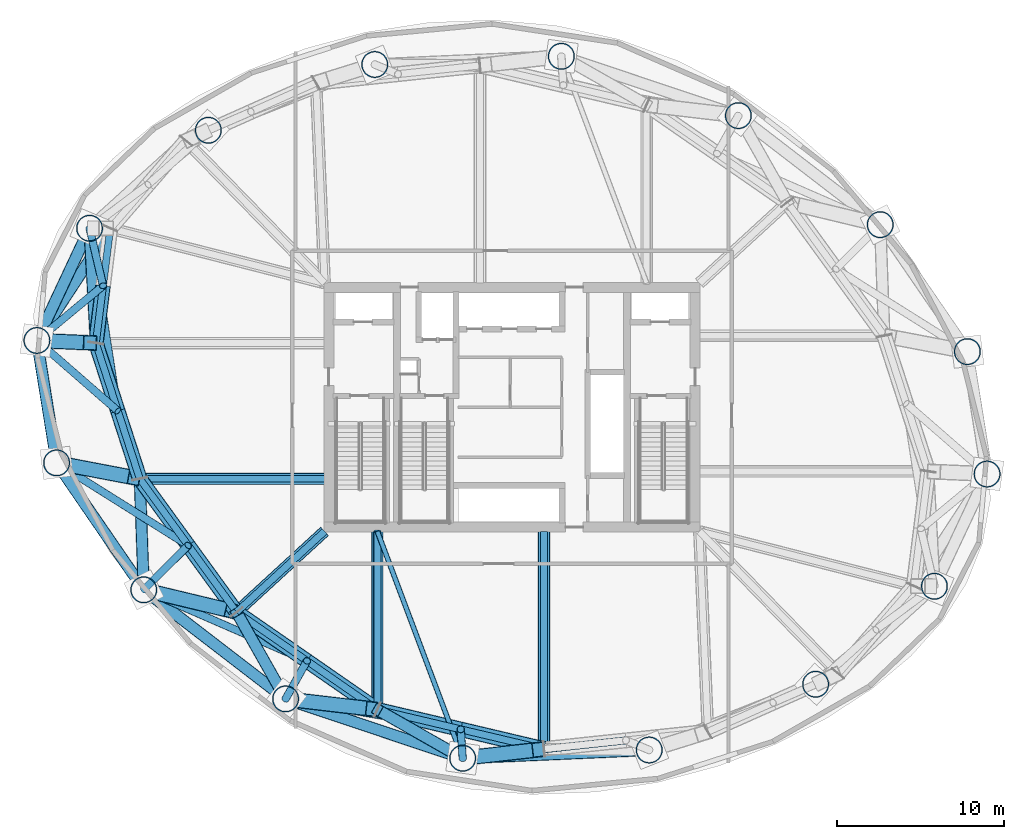
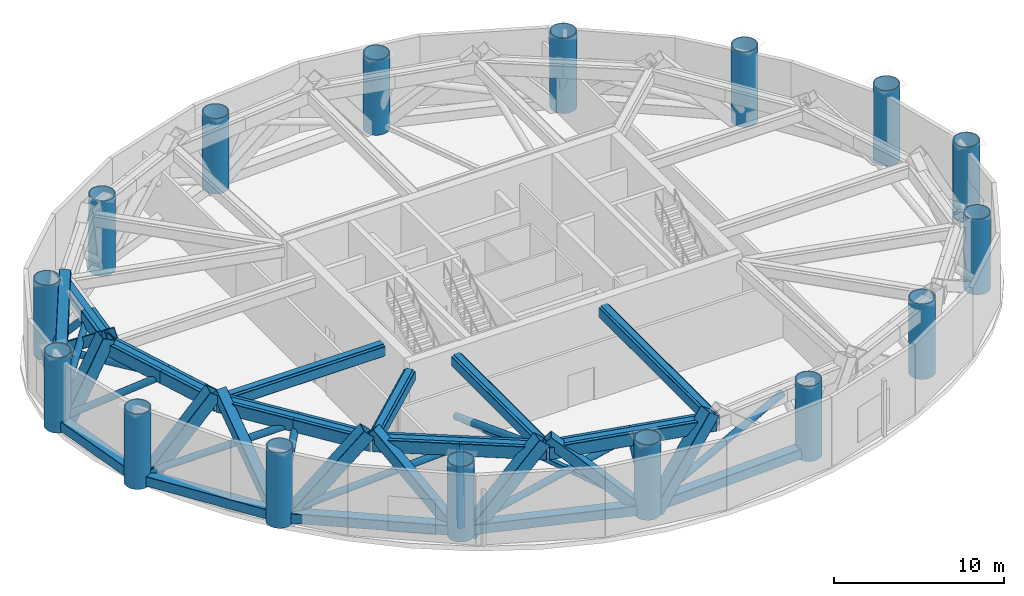
# One storey, part 1 of 13: 42 members, 16 columns, 9 beams.
"""IFC4 building model written with IfcOpenShell, lengths in metres."""

from ifc_helpers import new_model, si_unit, direction, frame, origin, origin_2d, place, context, subcontext, project, spatial, hollow_rectangle, hollow_circle, i_section, extrude, material, material_profile, profile_set, type_object, element, save


model = new_model("IFC4")

# Units and contexts
model_context = context("Model", 3, precision=1e-05, world=origin(), true_north=direction((0.0, 1.0)))
body_context = subcontext(model_context, "Body", "Model", "MODEL_VIEW")
ifc_project = project(units=[si_unit("LENGTHUNIT", "METRE"), si_unit("AREAUNIT", "SQUARE_METRE"), si_unit("VOLUMEUNIT", "CUBIC_METRE"), si_unit("PLANEANGLEUNIT", "RADIAN"), si_unit("MASSUNIT", "GRAM", prefix="KILO")], contexts=[model_context])

# Site, building, storey
site_placement = place(None, origin())
site = spatial("IfcSite", under=ifc_project, at=site_placement, CompositionType="ELEMENT")
building_placement = place(site_placement, origin())
building = spatial("IfcBuilding", under=site, at=building_placement, Name="Bramvorn Convention Spire", CompositionType="ELEMENT")
storey_placement = place(building_placement, frame((0.0, 0.0, 97.39990234375)))
storey = spatial("IfcBuildingStorey", under=building, at=storey_placement, Name="L23", CompositionType="ELEMENT", Elevation=97.39990234375)

# Columns
ifc_material = material(Name="Steel CSA G40.21 Grade 350 (350W)", Category="steel")
ifc_material_profile_1 = material_profile(ifc_material, hollow_circle(Radius=0.800048828125, WallThickness=0.06005859375, at=origin_2d()))
ifc_profile_set_1 = profile_set([ifc_material_profile_1], Name="Steel CSA G40.21 Grade 350 (350W) - CFT1600X60")
column_type = type_object("IfcColumnType", Name="COL-CFT1600X60", PredefinedType="COLUMN", material=ifc_profile_set_1)
for number, where, z_axis, x_axis, name in (
    (1, (66.519775390625, 21.99169921875, 0.0), (0.0, 0.0, 1.0), (1.0, 0.0, 0.0), "L23 composite CFT mega-column MC01"),
    (2, (65.338623046875, 29.340087890625, 0.0), (0.0, 0.0, 1.0), (1.0, 0.0, 0.0), "L23 composite CFT mega-column MC02"),
    (3, (60.105224609375, 36.960205078125, 0.0), (0.0, 0.0, 1.0), (1.0, 0.0, 0.0), "L23 composite CFT mega-column MC03"),
    (4, (51.59033203125, 43.509033203125, 0.0), (0.0, 0.0, 1.0), (1.0, 0.0, 0.0), "L23 composite CFT mega-column MC04"),
    (5, (40.9609375, 47.06884765625, 0.0), (0.0, 0.0, 1.0), (1.0, 0.0, 0.0), "L23 composite CFT mega-column MC05"),
    (6, (29.76220703125, 46.57666015625, 0.0), (0.0, 0.0, 1.0), (1.0, 0.0, 0.0), "L23 composite CFT mega-column MC06"),
    (7, (19.772216796875, 42.628662109375, 0.0), (0.0, 0.0, 1.0), (1.0, 0.0, 0.0), "L23 composite CFT mega-column MC07"),
    (8, (12.64111328125, 36.746337890625, 0.0), (0.0, 0.0, 1.0), (1.0, 0.0, 0.0), "L23 composite CFT mega-column MC08"),
    (9, (9.480224609375, 30.00830078125, 0.0), (0.0, 0.0, 1.0), (1.0, 0.0, 0.0), "L23 composite CFT mega-column MC09"),
    (10, (10.661376953125, 22.659912109375, 0.0), (0.0, 0.0, 1.0), (1.0, 0.0, 0.0), "L23 composite CFT mega-column MC10"),
    (11, (15.894775390625, 15.039794921875, 0.0), (0.0, 0.0, 1.0), (1.0, 0.0, 0.0), "L23 composite CFT mega-column MC11"),
    (12, (24.40966796875, 8.490966796875, 0.0), (0.0, 0.0, 1.0), (1.0, 0.0, 0.0), "L23 composite CFT mega-column MC12"),
    (13, (35.0390625, 4.93115234375, 0.0), (0.0, 0.0, 1.0), (1.0, 0.0, 0.0), "L23 composite CFT mega-column MC13"),
    (14, (46.23779296875, 5.42333984375, 0.0), (0.0, 0.0, 1.0), (1.0, 0.0, 0.0), "L23 composite CFT mega-column MC14"),
    (15, (56.227783203125, 9.371337890625, 0.0), (0.0, 0.0, 1.0), (1.0, 0.0, 0.0), "L23 composite CFT mega-column MC15"),
    (16, (63.35888671875, 15.253662109375, 0.0), (0.0, 0.0, 1.0), (1.0, 0.0, 0.0), "L23 composite CFT mega-column MC16"),
):
    element("IfcColumn", number, at=place(storey_placement, frame(where, z_axis=z_axis, x_axis=x_axis)), inside=storey, type_object=column_type, Name=name, PredefinedType="COLUMN", context=body_context, shape_type="SweptSolid", body=[
        extrude(hollow_circle(Radius=0.800048828125, WallThickness=0.06005859375, at=origin_2d()), origin(), (0.0, 0.0, 1.0), 5.400146484375),
    ])

# Beams
ifc_material_profile_2 = material_profile(ifc_material, i_section(OverallWidth=0.41796875, OverallDepth=0.912109375, WebThickness=0.019287109375, FlangeThickness=0.031982421875, FilletRadius=0.02392578125, at=origin_2d()))
ifc_profile_set_2 = profile_set([ifc_material_profile_2], Name="Steel CSA G40.21 Grade 350 (350W) - W920X342")
beam_type = type_object("IfcBeamType", Name="BM-W920X342", PredefinedType="BEAM", material=ifc_profile_set_2)
beam_1_placement = place(storey_placement, frame((13.88232421875, 36.73779296875, 4.524169921875), z_axis=(-0.124775053879, -0.992185056292, 0.0), x_axis=(0.992185056292, -0.124775053879, 0.0)))
element("IfcBeam", 17, at=beam_1_placement, inside=storey, type_object=beam_type, Name="L23 step-in transfer ring girder 09", PredefinedType="BEAM", context=body_context, shape_type="SweptSolid", body=[
    extrude(i_section(OverallWidth=0.41796875, OverallDepth=0.912109375, WebThickness=0.019287109375, FlangeThickness=0.031982421875, FilletRadius=0.02392578125, at=origin_2d()), origin(), (0.0, 0.0, 1.0), 6.940185546875),
])
beam_2_placement = place(storey_placement, frame((13.016357421875, 29.851806640625, 4.524169921875), z_axis=(0.308114853612, -0.951349166701, 0.0), x_axis=(0.951349166701, 0.308114853612, 0.0)))
element("IfcBeam", 18, at=beam_2_placement, inside=storey, type_object=beam_type, Name="L23 step-in transfer ring girder 10", PredefinedType="BEAM", context=body_context, shape_type="SweptSolid", body=[
    extrude(i_section(OverallWidth=0.41796875, OverallDepth=0.912109375, WebThickness=0.019287109375, FlangeThickness=0.031982421875, FilletRadius=0.02392578125, at=origin_2d()), origin(), (0.0, 0.0, 1.0), 8.5615234375),
])
beam_3_placement = place(storey_placement, frame((15.654296875, 21.706787109375, 4.524169921875), z_axis=(0.587401024629, -0.809296012757, 0.0), x_axis=(0.809296012757, 0.587401024629, 0.0)))
element("IfcBeam", 19, at=beam_3_placement, inside=storey, type_object=beam_type, Name="L23 step-in transfer ring girder 11", PredefinedType="BEAM", context=body_context, shape_type="SweptSolid", body=[
    extrude(i_section(OverallWidth=0.41796875, OverallDepth=0.912109375, WebThickness=0.019287109375, FlangeThickness=0.031982421875, FilletRadius=0.02392578125, at=origin_2d()), origin(), (0.0, 0.0, 1.0), 9.892333984375),
])
beam_4_placement = place(storey_placement, frame((26.75, 21.706787109375, 4.524169921875), z_axis=(-1.0, 0.0, 0.0), x_axis=(0.0, -1.0, 0.0)))
element("IfcBeam", 20, at=beam_4_placement, inside=storey, type_object=beam_type, Name="L23 step-in radial transfer girder MC11", PredefinedType="BEAM", context=body_context, shape_type="SweptSolid", body=[
    extrude(i_section(OverallWidth=0.41796875, OverallDepth=0.912109375, WebThickness=0.019287109375, FlangeThickness=0.031982421875, FilletRadius=0.02392578125, at=origin_2d()), origin(), (0.0, 0.0, 1.0), 11.095703125),
])
beam_5_placement = place(storey_placement, frame((21.465087890625, 13.700927734375, 4.524169921875), z_axis=(0.822033166673, -0.569439613032, 0.0), x_axis=(0.569439613032, 0.822033166673, 0.0)))
element("IfcBeam", 21, at=beam_5_placement, inside=storey, type_object=beam_type, Name="L23 step-in transfer ring girder 12", PredefinedType="BEAM", context=body_context, shape_type="SweptSolid", body=[
    extrude(i_section(OverallWidth=0.41796875, OverallDepth=0.912109375, WebThickness=0.019287109375, FlangeThickness=0.031982421875, FilletRadius=0.02392578125, at=origin_2d()), origin(), (0.0, 0.0, 1.0), 10.281982421875),
])
beam_6_placement = place(storey_placement, frame((26.75, 18.550048828125, 4.524169921875), z_axis=(-0.736833323746, -0.676074443399, 0.0), x_axis=(0.676074443399, -0.736833323746, 0.0)))
element("IfcBeam", 22, at=beam_6_placement, inside=storey, type_object=beam_type, Name="L23 step-in radial transfer girder MC12", PredefinedType="BEAM", context=body_context, shape_type="SweptSolid", body=[
    extrude(i_section(OverallWidth=0.41796875, OverallDepth=0.912109375, WebThickness=0.019287109375, FlangeThickness=0.031982421875, FilletRadius=0.02392578125, at=origin_2d()), origin(), (0.0, 0.0, 1.0), 7.17236328125),
])
beam_7_placement = place(storey_placement, frame((29.917236328125, 7.845947265625, 4.524169921875), z_axis=(0.97322750491, -0.229843911572, 0.0), x_axis=(0.229843911572, 0.97322750491, 0.0)))
element("IfcBeam", 23, at=beam_7_placement, inside=storey, type_object=beam_type, Name="L23 step-in transfer ring girder 13", PredefinedType="BEAM", context=body_context, shape_type="SweptSolid", body=[
    extrude(i_section(OverallWidth=0.41796875, OverallDepth=0.912109375, WebThickness=0.019287109375, FlangeThickness=0.031982421875, FilletRadius=0.02392578125, at=origin_2d()), origin(), (0.0, 0.0, 1.0), 10.2822265625),
])
beam_8_placement = place(storey_placement, frame((29.917236328125, 18.550048828125, 4.524169921875), z_axis=(0.0, -1.0, 0.0), x_axis=(1.0, 0.0, 0.0)))
element("IfcBeam", 24, at=beam_8_placement, inside=storey, type_object=beam_type, Name="L23 step-in radial transfer girder MC13", PredefinedType="BEAM", context=body_context, shape_type="SweptSolid", body=[
    extrude(i_section(OverallWidth=0.41796875, OverallDepth=0.912109375, WebThickness=0.019287109375, FlangeThickness=0.031982421875, FilletRadius=0.02392578125, at=origin_2d()), origin(), (0.0, 0.0, 1.0), 10.7041015625),
])
beam_9_placement = place(storey_placement, frame((39.924072265625, 18.550048828125, 4.524169921875), z_axis=(0.0, -1.0, 0.0), x_axis=(1.0, 0.0, 0.0)))
element("IfcBeam", 25, at=beam_9_placement, inside=storey, type_object=beam_type, Name="L23 step-in radial transfer girder MC14", PredefinedType="BEAM", context=body_context, shape_type="SweptSolid", body=[
    extrude(i_section(OverallWidth=0.41796875, OverallDepth=0.912109375, WebThickness=0.019287109375, FlangeThickness=0.031982421875, FilletRadius=0.02392578125, at=origin_2d()), origin(), (0.0, 0.0, 1.0), 13.0673828125),
])

# Members
ifc_material_profile_3 = material_profile(ifc_material, hollow_rectangle(XDim=0.699951171875, YDim=0.699951171875, WallThickness=0.034912109375, InnerFilletRadius=0.0009765625, OuterFilletRadius=0.034912109375, at=origin_2d()))
ifc_profile_set_3 = profile_set([ifc_material_profile_3], Name="Steel CSA G40.21 Grade 350 (350W) - BOX700X700X35")
member_type_1 = type_object("IfcMemberType", Name="MBR-BOX700X700X35", PredefinedType="CHORD", material=ifc_profile_set_3)
for number, where, z_axis, x_axis, name in (
    (26, (12.64111328125, 36.746337890625, 0.4501953125), (-0.424701955478, -0.9053332254, 0.0), (0.9053332254, -0.424701955478, 0.0), "L23 belt truss bottom chord 8"),
    (27, (9.480224609375, 30.00830078125, 0.4501953125), (0.158699222824, -0.987326975563, 0.0), (0.987326975563, 0.158699222824, 0.0), "L23 belt truss bottom chord 9"),
):
    element("IfcMember", number, at=place(storey_placement, frame(where, z_axis=z_axis, x_axis=x_axis)), inside=storey, type_object=member_type_1, Name=name, PredefinedType="CHORD", context=body_context, shape_type="SweptSolid", body=[
        extrude(hollow_rectangle(XDim=0.699951171875, YDim=0.699951171875, WallThickness=0.034912109375, InnerFilletRadius=0.0009765625, OuterFilletRadius=0.034912109375, at=origin_2d()), origin(), (0.0, 0.0, 1.0), 7.442626953125),
    ])
member_1_placement = place(storey_placement, frame((9.480224609375, 30.00830078125, 0.0), z_axis=(0.454462410809, 0.69473694701, 0.557498422976), x_axis=(-0.836852998605, 0.547427674425, 0.0)))
element("IfcMember", 28, at=member_1_placement, inside=storey, type_object=member_type_1, Name="L23 step-in secondary transfer strut MC09", PredefinedType="CHORD", context=body_context, shape_type="SweptSolid", body=[
    extrude(hollow_rectangle(XDim=0.699951171875, YDim=0.699951171875, WallThickness=0.034912109375, InnerFilletRadius=0.0009765625, OuterFilletRadius=0.034912109375, at=origin_2d()), origin(), (0.0, 0.0, 1.0), 9.686279296875),
])
member_2_placement = place(storey_placement, frame((10.661376953125, 22.659912109375, 0.4501953125), z_axis=(0.566129730789, -0.824316157743, 0.0), x_axis=(0.824316157743, 0.566129730789, 0.0)))
element("IfcMember", 29, at=member_2_placement, inside=storey, type_object=member_type_1, Name="L23 belt truss bottom chord 10", PredefinedType="CHORD", context=body_context, shape_type="SweptSolid", body=[
    extrude(hollow_rectangle(XDim=0.699951171875, YDim=0.699951171875, WallThickness=0.034912109375, InnerFilletRadius=0.0009765625, OuterFilletRadius=0.034912109375, at=origin_2d()), origin(), (0.0, 0.0, 1.0), 9.244140625),
])
member_3_placement = place(storey_placement, frame((12.64111328125, 36.746337890625, 0.0), z_axis=(0.042808386289, -0.786537949778, 0.616056406202), x_axis=(0.998522168896, 0.054345912663, 0.0)))
element("IfcMember", 30, at=member_3_placement, inside=storey, type_object=member_type_1, Name="L23 step-in secondary transfer strut MC10", PredefinedType="CHORD", context=body_context, shape_type="SweptSolid", body=[
    extrude(hollow_rectangle(XDim=0.699951171875, YDim=0.699951171875, WallThickness=0.034912109375, InnerFilletRadius=0.0009765625, OuterFilletRadius=0.034912109375, at=origin_2d()), origin(), (0.0, 0.0, 1.0), 8.765625),
])
member_4_placement = place(storey_placement, frame((15.894775390625, 15.039794921875, 0.4501953125), z_axis=(0.792672990445, -0.609647053809, 0.0), x_axis=(0.609647053809, 0.792672990445, 0.0)))
element("IfcMember", 31, at=member_4_placement, inside=storey, type_object=member_type_1, Name="L23 belt truss bottom chord 11", PredefinedType="CHORD", context=body_context, shape_type="SweptSolid", body=[
    extrude(hollow_rectangle(XDim=0.699951171875, YDim=0.699951171875, WallThickness=0.034912109375, InnerFilletRadius=0.0009765625, OuterFilletRadius=0.034912109375, at=origin_2d()), origin(), (0.0, 0.0, 1.0), 10.741943359375),
])
member_5_placement = place(storey_placement, frame((15.894775390625, 15.039794921875, 0.0), z_axis=(-0.028017943988, 0.776765496867, 0.629166399048), x_axis=(-0.999350111052, -0.036046574608, 0.0)))
element("IfcMember", 32, at=member_5_placement, inside=storey, type_object=member_type_1, Name="L23 step-in secondary transfer strut MC11", PredefinedType="CHORD", context=body_context, shape_type="SweptSolid", body=[
    extrude(hollow_rectangle(XDim=0.699951171875, YDim=0.699951171875, WallThickness=0.034912109375, InnerFilletRadius=0.0009765625, OuterFilletRadius=0.034912109375, at=origin_2d()), origin(), (0.0, 0.0, 1.0), 8.5830078125),
])
member_6_placement = place(storey_placement, frame((26.75, 21.706787109375, 4.530029296875), z_axis=(-1.0, 0.0, 0.0), x_axis=(0.0, -1.0, 0.0)))
element("IfcMember", 33, at=member_6_placement, inside=storey, type_object=member_type_1, Name="L23 outrigger top tie MC11", PredefinedType="CHORD", context=body_context, shape_type="SweptSolid", body=[
    extrude(hollow_rectangle(XDim=0.699951171875, YDim=0.699951171875, WallThickness=0.034912109375, InnerFilletRadius=0.0009765625, OuterFilletRadius=0.034912109375, at=origin_2d()), origin(), (0.0, 0.0, 1.0), 11.095703125),
])
member_7_placement = place(storey_placement, frame((24.40966796875, 8.490966796875, 0.4501953125), z_axis=(0.948235872727, -0.317566890078, 0.0), x_axis=(0.317566890078, 0.948235872727, 0.0)))
element("IfcMember", 34, at=member_7_placement, inside=storey, type_object=member_type_1, Name="L23 belt truss bottom chord 12", PredefinedType="CHORD", context=body_context, shape_type="SweptSolid", body=[
    extrude(hollow_rectangle(XDim=0.699951171875, YDim=0.699951171875, WallThickness=0.034912109375, InnerFilletRadius=0.0009765625, OuterFilletRadius=0.034912109375, at=origin_2d()), origin(), (0.0, 0.0, 1.0), 11.209716796875),
])
member_8_placement = place(storey_placement, frame((24.40966796875, 8.490966796875, 0.0), z_axis=(-0.365298140963, 0.64633631773, 0.669930319207), x_axis=(-0.870575755044, -0.49203440401, 0.0)))
element("IfcMember", 35, at=member_8_placement, inside=storey, type_object=member_type_1, Name="L23 step-in secondary transfer strut MC12", PredefinedType="CHORD", context=body_context, shape_type="SweptSolid", body=[
    extrude(hollow_rectangle(XDim=0.699951171875, YDim=0.699951171875, WallThickness=0.034912109375, InnerFilletRadius=0.0009765625, OuterFilletRadius=0.034912109375, at=origin_2d()), origin(), (0.0, 0.0, 1.0), 8.060791015625),
])
member_9_placement = place(storey_placement, frame((26.75, 18.550048828125, 4.530029296875), z_axis=(-0.736833323746, -0.676074443399, 0.0), x_axis=(0.676074443399, -0.736833323746, 0.0)))
element("IfcMember", 36, at=member_9_placement, inside=storey, type_object=member_type_1, Name="L23 outrigger top tie MC12", PredefinedType="CHORD", context=body_context, shape_type="SweptSolid", body=[
    extrude(hollow_rectangle(XDim=0.699951171875, YDim=0.699951171875, WallThickness=0.034912109375, InnerFilletRadius=0.0009765625, OuterFilletRadius=0.034912109375, at=origin_2d()), origin(), (0.0, 0.0, 1.0), 7.17236328125),
])
member_10_placement = place(storey_placement, frame((35.0390625, 4.93115234375, 0.4501953125), z_axis=(0.999035582762, 0.043907907889, 0.0), x_axis=(-0.043907907889, 0.999035582762, 0.0)))
element("IfcMember", 37, at=member_10_placement, inside=storey, type_object=member_type_1, Name="L23 belt truss bottom chord 13", PredefinedType="CHORD", context=body_context, shape_type="SweptSolid", body=[
    extrude(hollow_rectangle(XDim=0.699951171875, YDim=0.699951171875, WallThickness=0.034912109375, InnerFilletRadius=0.0009765625, OuterFilletRadius=0.034912109375, at=origin_2d()), origin(), (0.0, 0.0, 1.0), 11.20947265625),
])
member_11_placement = place(storey_placement, frame((35.0390625, 4.93115234375, 0.0), z_axis=(-0.640775593306, 0.364660842199, 0.675595373866), x_axis=(-0.49460788428, -0.869116241252, 0.0)))
element("IfcMember", 38, at=member_11_placement, inside=storey, type_object=member_type_1, Name="L23 step-in secondary transfer strut MC13", PredefinedType="CHORD", context=body_context, shape_type="SweptSolid", body=[
    extrude(hollow_rectangle(XDim=0.699951171875, YDim=0.699951171875, WallThickness=0.034912109375, InnerFilletRadius=0.0009765625, OuterFilletRadius=0.034912109375, at=origin_2d()), origin(), (0.0, 0.0, 1.0), 7.9931640625),
])
member_12_placement = place(storey_placement, frame((29.917236328125, 18.550048828125, 4.530029296875), z_axis=(0.0, -1.0, 0.0), x_axis=(1.0, 0.0, 0.0)))
element("IfcMember", 39, at=member_12_placement, inside=storey, type_object=member_type_1, Name="L23 outrigger top tie MC13", PredefinedType="CHORD", context=body_context, shape_type="SweptSolid", body=[
    extrude(hollow_rectangle(XDim=0.699951171875, YDim=0.699951171875, WallThickness=0.034912109375, InnerFilletRadius=0.0009765625, OuterFilletRadius=0.034912109375, at=origin_2d()), origin(), (0.0, 0.0, 1.0), 10.7041015625),
])
member_13_placement = place(storey_placement, frame((39.924072265625, 18.550048828125, 4.530029296875), z_axis=(0.0, -1.0, 0.0), x_axis=(1.0, 0.0, 0.0)))
element("IfcMember", 40, at=member_13_placement, inside=storey, type_object=member_type_1, Name="L23 outrigger top tie MC14", PredefinedType="CHORD", context=body_context, shape_type="SweptSolid", body=[
    extrude(hollow_rectangle(XDim=0.699951171875, YDim=0.699951171875, WallThickness=0.034912109375, InnerFilletRadius=0.0009765625, OuterFilletRadius=0.034912109375, at=origin_2d()), origin(), (0.0, 0.0, 1.0), 13.0673828125),
])
ifc_material_profile_4 = material_profile(ifc_material, hollow_rectangle(XDim=0.89990234375, YDim=0.89990234375, WallThickness=0.044921875, InnerFilletRadius=0.0009765625, OuterFilletRadius=0.044921875, at=origin_2d()))
ifc_profile_set_4 = profile_set([ifc_material_profile_4], Name="Steel CSA G40.21 Grade 350 (350W) - BOX900X900X45")
member_type_2 = type_object("IfcMemberType", Name="MBR-BOX900X900X45", PredefinedType="CHORD", material=ifc_profile_set_4)
member_14_placement = place(storey_placement, frame((13.449462890625, 33.294677734375, 4.530029296875), z_axis=(-0.124814039917, -0.992180152714, 0.0), x_axis=(0.992180152714, -0.124814039917, 0.0)))
element("IfcMember", 41, at=member_14_placement, inside=storey, type_object=member_type_2, Name="L23 belt truss top chord 9B", PredefinedType="CHORD", context=body_context, shape_type="SweptSolid", body=[
    extrude(hollow_rectangle(XDim=0.89990234375, YDim=0.89990234375, WallThickness=0.044921875, InnerFilletRadius=0.0009765625, OuterFilletRadius=0.044921875, at=origin_2d()), origin(), (0.0, 0.0, 1.0), 3.469970703125),
])
for number, where, z_axis, x_axis, name in (
    (42, (13.016357421875, 29.851806640625, 4.530029296875), (0.308089044476, -0.951357525158, 0.0), (0.951357525158, 0.308089044476, 0.0), "L23 belt truss top chord 10A"),
    (43, (14.335205078125, 25.779296875, 4.530029296875), (0.308140662068, -0.951340807692, 0.0), (0.951340807692, 0.308140662068, 0.0), "L23 belt truss top chord 10B"),
):
    element("IfcMember", number, at=place(storey_placement, frame(where, z_axis=z_axis, x_axis=x_axis)), inside=storey, type_object=member_type_2, Name=name, PredefinedType="CHORD", context=body_context, shape_type="SweptSolid", body=[
        extrude(hollow_rectangle(XDim=0.89990234375, YDim=0.89990234375, WallThickness=0.044921875, InnerFilletRadius=0.0009765625, OuterFilletRadius=0.044921875, at=origin_2d()), origin(), (0.0, 0.0, 1.0), 4.28076171875),
    ])
member_15_placement = place(storey_placement, frame((9.929931640625, 29.98828125, 0.0), z_axis=(0.451939854179, -0.019998409106, 0.891824215772), x_axis=(0.044206897051, 0.999022397273, 0.0)))
element("IfcMember", 44, at=member_15_placement, inside=storey, type_object=member_type_2, Name="L23 step-in mega-column transfer strut MC10", PredefinedType="CHORD", context=body_context, shape_type="SweptSolid", body=[
    extrude(hollow_rectangle(XDim=0.89990234375, YDim=0.89990234375, WallThickness=0.044921875, InnerFilletRadius=0.0009765625, OuterFilletRadius=0.044921875, at=origin_2d()), origin(), (0.0, 0.0, 1.0), 6.05517578125),
])
member_16_placement = place(storey_placement, frame((15.654296875, 21.706787109375, 4.530029296875), z_axis=(0.587417188481, -0.809284280508, 0.0), x_axis=(0.809284280508, 0.587417188481, 0.0)))
element("IfcMember", 45, at=member_16_placement, inside=storey, type_object=member_type_2, Name="L23 belt truss top chord 11A", PredefinedType="CHORD", context=body_context, shape_type="SweptSolid", body=[
    extrude(hollow_rectangle(XDim=0.89990234375, YDim=0.89990234375, WallThickness=0.044921875, InnerFilletRadius=0.0009765625, OuterFilletRadius=0.044921875, at=origin_2d()), origin(), (0.0, 0.0, 1.0), 4.9462890625),
])
member_17_placement = place(storey_placement, frame((18.559814453125, 17.703857421875, 4.530029296875), z_axis=(0.587384860074, -0.809307745024, 0.0), x_axis=(0.809307745024, 0.587384860074, 0.0)))
element("IfcMember", 46, at=member_17_placement, inside=storey, type_object=member_type_2, Name="L23 belt truss top chord 11B", PredefinedType="CHORD", context=body_context, shape_type="SweptSolid", body=[
    extrude(hollow_rectangle(XDim=0.89990234375, YDim=0.89990234375, WallThickness=0.044921875, InnerFilletRadius=0.0009765625, OuterFilletRadius=0.044921875, at=origin_2d()), origin(), (0.0, 0.0, 1.0), 4.946044921875),
])
member_18_placement = place(storey_placement, frame((11.103515625, 22.575439453125, 0.0), z_axis=(0.610385116464, -0.116501662491, 0.783490505517), x_axis=(0.187481426363, 0.982268148098, 0.0)))
element("IfcMember", 47, at=member_18_placement, inside=storey, type_object=member_type_2, Name="L23 step-in mega-column transfer strut MC11", PredefinedType="CHORD", context=body_context, shape_type="SweptSolid", body=[
    extrude(hollow_rectangle(XDim=0.89990234375, YDim=0.89990234375, WallThickness=0.044921875, InnerFilletRadius=0.0009765625, OuterFilletRadius=0.044921875, at=origin_2d()), origin(), (0.0, 0.0, 1.0), 6.892333984375),
])
for number, where, z_axis, x_axis, name in (
    (48, (21.465087890625, 13.700927734375, 4.530029296875), (0.822033166673, -0.569439613032, 0.0), (0.569439613032, 0.822033166673, 0.0), "L23 belt truss top chord 12A"),
    (49, (25.691162109375, 10.7734375, 4.530029296875), (0.822033166673, -0.569439613032, 0.0), (0.569439613032, 0.822033166673, 0.0), "L23 belt truss top chord 12B"),
):
    element("IfcMember", number, at=place(storey_placement, frame(where, z_axis=z_axis, x_axis=x_axis)), inside=storey, type_object=member_type_2, Name=name, PredefinedType="CHORD", context=body_context, shape_type="SweptSolid", body=[
        extrude(hollow_rectangle(XDim=0.89990234375, YDim=0.89990234375, WallThickness=0.044921875, InnerFilletRadius=0.0009765625, OuterFilletRadius=0.044921875, at=origin_2d()), origin(), (0.0, 0.0, 1.0), 5.14111328125),
    ])
member_19_placement = place(storey_placement, frame((16.332275390625, 14.9345703125, 0.0), z_axis=(0.655501723454, -0.157539459592, 0.738578911979), x_axis=(0.233680158574, 0.97231352119, 0.0)))
element("IfcMember", 50, at=member_19_placement, inside=storey, type_object=member_type_2, Name="L23 step-in mega-column transfer strut MC12", PredefinedType="CHORD", context=body_context, shape_type="SweptSolid", body=[
    extrude(hollow_rectangle(XDim=0.89990234375, YDim=0.89990234375, WallThickness=0.044921875, InnerFilletRadius=0.0009765625, OuterFilletRadius=0.044921875, at=origin_2d()), origin(), (0.0, 0.0, 1.0), 7.3115234375),
])
for number, where, z_axis, x_axis, name in (
    (51, (29.917236328125, 7.845947265625, 4.530029296875), (0.97322750491, -0.229843911572, 0.0), (0.229843911572, 0.97322750491, 0.0), "L23 belt truss top chord 13A"),
    (52, (34.920654296875, 6.664306640625, 4.530029296875), (0.97322750491, -0.229843911572, 0.0), (0.229843911572, 0.97322750491, 0.0), "L23 belt truss top chord 13B"),
):
    element("IfcMember", number, at=place(storey_placement, frame(where, z_axis=z_axis, x_axis=x_axis)), inside=storey, type_object=member_type_2, Name=name, PredefinedType="CHORD", context=body_context, shape_type="SweptSolid", body=[
        extrude(hollow_rectangle(XDim=0.89990234375, YDim=0.89990234375, WallThickness=0.044921875, InnerFilletRadius=0.0009765625, OuterFilletRadius=0.044921875, at=origin_2d()), origin(), (0.0, 0.0, 1.0), 5.14111328125),
    ])
member_20_placement = place(storey_placement, frame((24.856689453125, 8.438720703125, 0.0), z_axis=(0.655595679161, -0.076787289193, 0.751197722097), x_axis=(0.116330760731, 0.993210528593, 0.0)))
element("IfcMember", 53, at=member_20_placement, inside=storey, type_object=member_type_2, Name="L23 step-in mega-column transfer strut MC13", PredefinedType="CHORD", context=body_context, shape_type="SweptSolid", body=[
    extrude(hollow_rectangle(XDim=0.89990234375, YDim=0.89990234375, WallThickness=0.044921875, InnerFilletRadius=0.0009765625, OuterFilletRadius=0.044921875, at=origin_2d()), origin(), (0.0, 0.0, 1.0), 7.188720703125),
])
member_21_placement = place(storey_placement, frame((35.486083984375, 4.981689453125, 0.0), z_axis=(0.602373008158, 0.067993037571, 0.795313589652), x_axis=(-0.112163042055, 0.993689816792, 0.0)))
element("IfcMember", 54, at=member_21_placement, inside=storey, type_object=member_type_2, Name="L23 step-in mega-column transfer strut MC14", PredefinedType="CHORD", context=body_context, shape_type="SweptSolid", body=[
    extrude(hollow_rectangle(XDim=0.89990234375, YDim=0.89990234375, WallThickness=0.044921875, InnerFilletRadius=0.0009765625, OuterFilletRadius=0.044921875, at=origin_2d()), origin(), (0.0, 0.0, 1.0), 6.7900390625),
])
ifc_material_profile_5 = material_profile(ifc_material, hollow_circle(Radius=0.228515625, WallThickness=0.01904296875, at=origin_2d()))
ifc_profile_set_5 = profile_set([ifc_material_profile_5], Name="Steel CSA G40.21 Grade 350 (350W) - CHS457X19")
member_type_3 = type_object("IfcMemberType", Name="MBR-CHS457X19", PredefinedType="BRACE", material=ifc_profile_set_5)
member_22_placement = place(storey_placement, frame((12.64111328125, 36.746337890625, 0.4501953125), z_axis=(0.149559971451, -0.638622433216, 0.754846476267), x_axis=(0.973655981415, 0.228021994233, 0.0)))
element("IfcMember", 55, at=member_22_placement, inside=storey, type_object=member_type_3, Name="L23 ring belt diagonal 9A", PredefinedType="BRACE", context=body_context, shape_type="SweptSolid", body=[
    extrude(hollow_circle(Radius=0.228515625, WallThickness=0.01904296875, at=origin_2d()), origin(), (0.0, 0.0, 1.0), 5.40478515625),
])
member_23_placement = place(storey_placement, frame((9.480224609375, 30.00830078125, 0.4501953125), z_axis=(0.603899175315, 0.500005338843, 0.620725742323), x_axis=(-0.637739317971, 0.770252271865, 0.0)))
element("IfcMember", 56, at=member_23_placement, inside=storey, type_object=member_type_3, Name="L23 ring belt diagonal 9B", PredefinedType="BRACE", context=body_context, shape_type="SweptSolid", body=[
    extrude(hollow_circle(Radius=0.228515625, WallThickness=0.01904296875, at=origin_2d()), origin(), (0.0, 0.0, 1.0), 6.57275390625),
])
member_24_placement = place(storey_placement, frame((9.480224609375, 30.00830078125, 0.4501953125), z_axis=(0.636939371663, -0.55481563894, 0.535245591867), x_axis=(0.656822476472, 0.754045246919, 0.0)))
element("IfcMember", 57, at=member_24_placement, inside=storey, type_object=member_type_3, Name="L23 ring belt diagonal 10A", PredefinedType="BRACE", context=body_context, shape_type="SweptSolid", body=[
    extrude(hollow_circle(Radius=0.228515625, WallThickness=0.01904296875, at=origin_2d()), origin(), (0.0, 0.0, 1.0), 7.622314453125),
])
member_25_placement = place(storey_placement, frame((12.64111328125, 36.746337890625, 0.4501953125), z_axis=(0.143283889871, -0.927576829064, 0.345066592251), x_axis=(0.988278679514, 0.152660576504, 0.0)))
element("IfcMember", 58, at=member_25_placement, inside=storey, type_object=member_type_3, Name="L23 ring belt diagonal 10B", PredefinedType="BRACE", context=body_context, shape_type="SweptSolid", body=[
    extrude(hollow_circle(Radius=0.228515625, WallThickness=0.01904296875, at=origin_2d()), origin(), (0.0, 0.0, 1.0), 11.8232421875),
])
member_26_placement = place(storey_placement, frame((10.661376953125, 22.659912109375, 0.4501953125), z_axis=(0.776026085014, -0.486935259823, 0.400846065365), x_axis=(0.531504331973, 0.847055573793, 0.0)))
element("IfcMember", 59, at=member_26_placement, inside=storey, type_object=member_type_3, Name="L23 ring belt diagonal 11A", PredefinedType="BRACE", context=body_context, shape_type="SweptSolid", body=[
    extrude(hollow_circle(Radius=0.228515625, WallThickness=0.01904296875, at=origin_2d()), origin(), (0.0, 0.0, 1.0), 10.177978515625),
])
member_27_placement = place(storey_placement, frame((15.894775390625, 15.039794921875, 0.4501953125), z_axis=(0.479858564622, 0.479682727845, 0.734602095401), x_axis=(-0.706977191383, 0.707236347245, 0.0)))
element("IfcMember", 60, at=member_27_placement, inside=storey, type_object=member_type_3, Name="L23 ring belt diagonal 11B", PredefinedType="BRACE", context=body_context, shape_type="SweptSolid", body=[
    extrude(hollow_circle(Radius=0.228515625, WallThickness=0.01904296875, at=origin_2d()), origin(), (0.0, 0.0, 1.0), 5.5537109375),
])
member_28_placement = place(storey_placement, frame((15.894775390625, 15.039794921875, 0.4501953125), z_axis=(0.856515872572, -0.373015373404, 0.356707290698), x_axis=(0.399281636642, 0.916828323428, 0.0)))
element("IfcMember", 61, at=member_28_placement, inside=storey, type_object=member_type_3, Name="L23 ring belt diagonal 12A", PredefinedType="BRACE", context=body_context, shape_type="SweptSolid", body=[
    extrude(hollow_circle(Radius=0.228515625, WallThickness=0.01904296875, at=origin_2d()), origin(), (0.0, 0.0, 1.0), 11.4375),
])
member_29_placement = place(storey_placement, frame((24.40966796875, 8.490966796875, 0.4501953125), z_axis=(0.264369240811, 0.470868362039, 0.841660198741), x_axis=(-0.871966322925, 0.489565860416, 0.0)))
element("IfcMember", 62, at=member_29_placement, inside=storey, type_object=member_type_3, Name="L23 ring belt diagonal 12B", PredefinedType="BRACE", context=body_context, shape_type="SweptSolid", body=[
    extrude(hollow_circle(Radius=0.228515625, WallThickness=0.01904296875, at=origin_2d()), origin(), (0.0, 0.0, 1.0), 4.847412109375),
])
member_30_placement = place(storey_placement, frame((24.40966796875, 8.490966796875, 0.4501953125), z_axis=(0.920238741123, -0.159924424804, 0.357190198196), x_axis=(0.171219488354, 0.985232909929, 0.0)))
element("IfcMember", 63, at=member_30_placement, inside=storey, type_object=member_type_3, Name="L23 ring belt diagonal 13A", PredefinedType="BRACE", context=body_context, shape_type="SweptSolid", body=[
    extrude(hollow_circle(Radius=0.228515625, WallThickness=0.01904296875, at=origin_2d()), origin(), (0.0, 0.0, 1.0), 11.422119140625),
])
member_31_placement = place(storey_placement, frame((35.0390625, 4.93115234375, 0.4501953125), z_axis=(-0.026702880952, 0.390853096657, 0.920065656887), x_axis=(-0.997674362332, -0.068160595257, 0.0)))
element("IfcMember", 64, at=member_31_placement, inside=storey, type_object=member_type_3, Name="L23 ring belt diagonal 13B", PredefinedType="BRACE", context=body_context, shape_type="SweptSolid", body=[
    extrude(hollow_circle(Radius=0.228515625, WallThickness=0.01904296875, at=origin_2d()), origin(), (0.0, 0.0, 1.0), 4.434326171875),
])
member_32_placement = place(storey_placement, frame((29.917236328125, 18.550048828125, 0.4501953125), z_axis=(0.0, -0.934427286678, 0.356153963773), x_axis=(1.0, 0.0, 0.0)))
element("IfcMember", 65, at=member_32_placement, inside=storey, type_object=member_type_3, Name="L23 outrigger web diagonal MC13", PredefinedType="BRACE", context=body_context, shape_type="SweptSolid", body=[
    extrude(hollow_circle(Radius=0.228515625, WallThickness=0.01904296875, at=origin_2d()), origin(), (0.0, 0.0, 1.0), 11.455322265625),
])
member_33_placement = place(storey_placement, frame((35.0390625, 4.93115234375, 0.4501953125), z_axis=(0.918590440692, 0.100329647954, 0.382263736196), x_axis=(-0.108575611155, 0.994088193604, 0.0)))
element("IfcMember", 66, at=member_33_placement, inside=storey, type_object=member_type_3, Name="L23 ring belt diagonal 14A", PredefinedType="BRACE", context=body_context, shape_type="SweptSolid", body=[
    extrude(hollow_circle(Radius=0.228515625, WallThickness=0.01904296875, at=origin_2d()), origin(), (0.0, 0.0, 1.0), 10.6728515625),
])
ifc_material_profile_6 = material_profile(ifc_material, hollow_rectangle(XDim=0.3046875, YDim=0.3046875, WallThickness=0.015869140625, InnerFilletRadius=0.015869140625, OuterFilletRadius=0.03173828125, at=origin_2d()))
ifc_profile_set_6 = profile_set([ifc_material_profile_6], Name="Steel CSA G40.21 Grade 350 (350W) - HSS305X305X16")
member_type_4 = type_object("IfcMemberType", Name="MBR-HSS305X305X16", PredefinedType="POST", material=ifc_profile_set_6)
member_34_placement = place(storey_placement, frame((29.917236328125, 18.550048828125, 0.4501953125), z_axis=(0.352011433474, -0.935995700152, 0.0), x_axis=(0.935995700152, 0.352011433474, 0.0)))
element("IfcMember", 67, at=member_34_placement, inside=storey, type_object=member_type_4, Name="L23 outrigger bottom chord MC13", PredefinedType="POST", context=body_context, shape_type="SweptSolid", body=[
    extrude(hollow_rectangle(XDim=0.3046875, YDim=0.3046875, WallThickness=0.015869140625, InnerFilletRadius=0.015869140625, OuterFilletRadius=0.03173828125, at=origin_2d()), origin(), (0.0, 0.0, 1.0), 14.550048828125),
])

save(model, "model.ifc")
